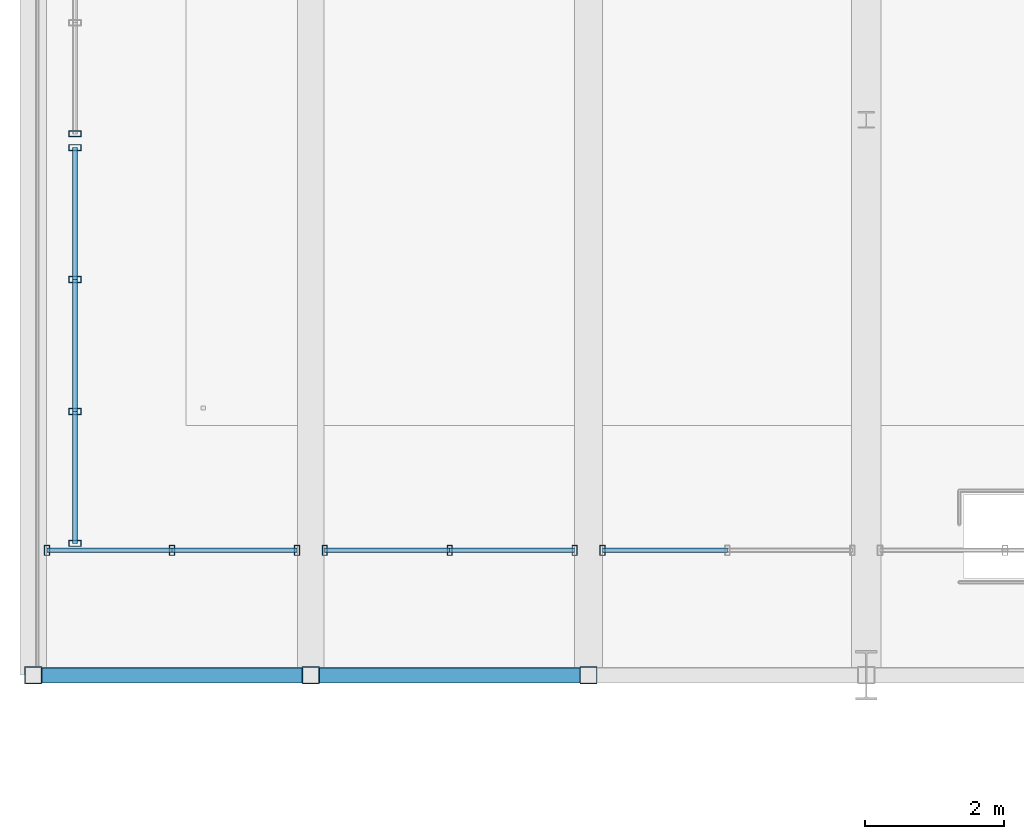
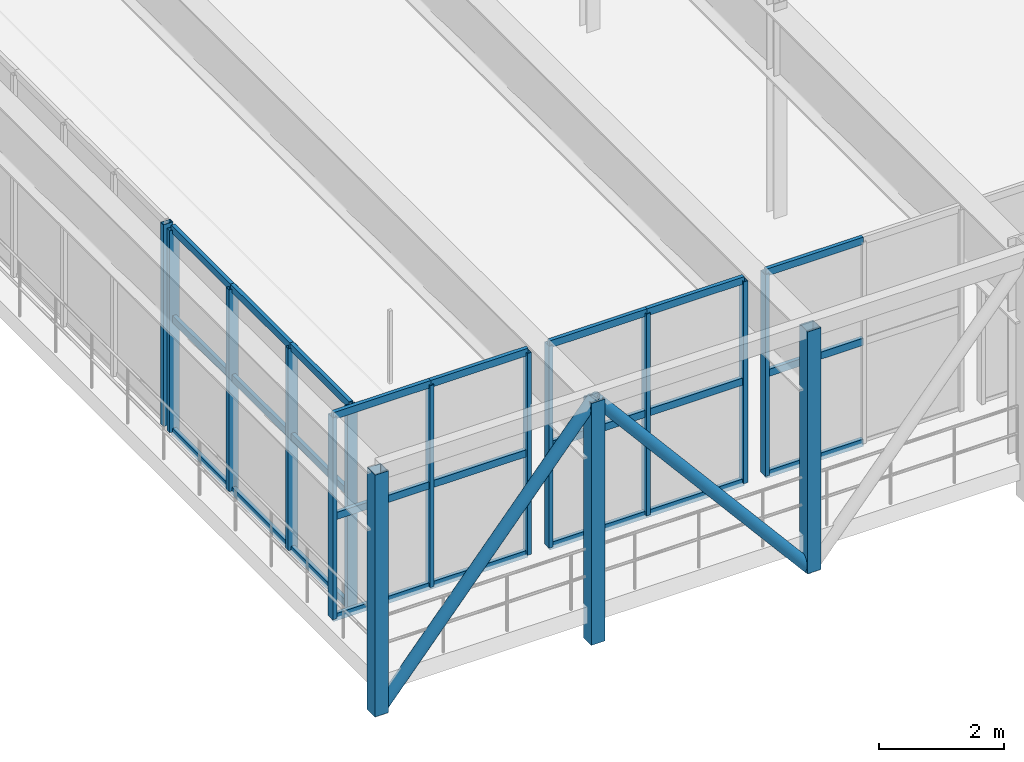
# One storey, part 19 of 124: 41 members, 5 elements without a shape of their own.
"""IFC4 building model written with IfcOpenShell, lengths in metres."""

from ifc_helpers import new_model, si_unit, direction, frame, origin, origin_2d, place, context, subcontext, project, spatial, hollow_rectangle, hollow_circle, extrude, material, material_profile, profile_set, type_object, element, aggregate, save


model = new_model("IFC4")

# Units and contexts
model_context = context("Model", 3, precision=1e-05, world=origin(), true_north=direction((0.0, 1.0)))
body_context = subcontext(model_context, "Body", "Model", "MODEL_VIEW")
ifc_project = project(units=[si_unit("LENGTHUNIT", "METRE"), si_unit("AREAUNIT", "SQUARE_METRE"), si_unit("VOLUMEUNIT", "CUBIC_METRE"), si_unit("PLANEANGLEUNIT", "RADIAN"), si_unit("MASSUNIT", "GRAM", prefix="KILO")], contexts=[model_context])

# Site, building, storey
site_placement = place(None, origin())
site = spatial("IfcSite", under=ifc_project, at=site_placement, CompositionType="ELEMENT")
building_placement = place(site_placement, origin())
building = spatial("IfcBuilding", under=site, at=building_placement, Name="Sundkrona Museum", CompositionType="ELEMENT")
storey_placement = place(building_placement, frame((0.0, 0.0, 17.60009765625)))
storey = spatial("IfcBuildingStorey", under=building, at=storey_placement, Name="L03", CompositionType="ELEMENT", Elevation=17.60009765625)

# Curtain wall, members
ifc_material_1 = material(Name="Unitised Aluminium-Steel and Ceramic-Clad Curtain Walling", Category="steel")
curtain_wall_type_1 = type_object("IfcCurtainWallType", Name="CW-CV-36x38", PredefinedType="NOTDEFINED", material=ifc_material_1)
curtain_wall_1_placement = place(storey_placement, origin())
curtain_wall_1 = element("IfcCurtainWall", 1, at=curtain_wall_1_placement, inside=storey, type_object=curtain_wall_type_1, Name="L03 Curtain Wall CW-L03-152", PredefinedType="NOTDEFINED")
ifc_material_2 = material(Name="Aluminium EN AW-6060 T66", Category="aluminium")
ifc_material_profile_1 = material_profile(ifc_material_2, hollow_rectangle(XDim=0.074951171875, YDim=0.14990234375, WallThickness=0.00634765625, at=origin_2d()), Name="RHS 150x75x6.3")
ifc_profile_set_1 = profile_set([ifc_material_profile_1], Name="Aluminium EN AW-6060 T66")
member_type_1 = type_object("IfcMemberType", Name="ML-150", PredefinedType="MULLION", material=ifc_profile_set_1)
member_1_placement = place(storey_placement, frame((4.199951171875, 33.800048828125, -0.004150390625), z_axis=(0.0, 0.0, 1.0), x_axis=(1.0, 0.0, 0.0)))
member_1 = element("IfcMember", 2, at=member_1_placement, type_object=member_type_1, Name="CW-L03-152 Mullion 01", PredefinedType="MULLION", context=body_context, shape_type="SweptSolid", body=[
    extrude(hollow_rectangle(XDim=0.074951171875, YDim=0.14990234375, WallThickness=0.00634765625, at=origin_2d()), origin(), (0.0, 0.0, 1.0), 3.947998046875),
])
member_2_placement = place(storey_placement, frame((6.0, 33.800048828125, -0.004150390625), z_axis=(0.0, 0.0, 1.0), x_axis=(1.0, 0.0, 0.0)))
member_2 = element("IfcMember", 3, at=member_2_placement, type_object=member_type_1, Name="CW-L03-152 Mullion 02", PredefinedType="MULLION", context=body_context, shape_type="SweptSolid", body=[
    extrude(hollow_rectangle(XDim=0.074951171875, YDim=0.14990234375, WallThickness=0.00634765625, at=origin_2d()), origin(), (0.0, 0.0, 1.0), 3.947998046875),
])
member_3_placement = place(storey_placement, frame((7.800048828125, 33.800048828125, -0.004150390625), z_axis=(0.0, 0.0, 1.0), x_axis=(1.0, 0.0, 0.0)))
member_3 = element("IfcMember", 4, at=member_3_placement, type_object=member_type_1, Name="CW-L03-152 Mullion 03", PredefinedType="MULLION", context=body_context, shape_type="SweptSolid", body=[
    extrude(hollow_rectangle(XDim=0.074951171875, YDim=0.14990234375, WallThickness=0.00634765625, at=origin_2d()), origin(), (0.0, 0.0, 1.0), 3.947998046875),
])

curtain_wall_2_placement = place(storey_placement, origin())
curtain_wall_2 = element("IfcCurtainWall", 5, at=curtain_wall_2_placement, inside=storey, type_object=curtain_wall_type_1, Name="L03 Curtain Wall CW-L03-154", PredefinedType="NOTDEFINED")
member_4_placement = place(storey_placement, frame((8.199951171875, 33.800048828125, -0.004150390625), z_axis=(0.0, 0.0, 1.0), x_axis=(1.0, 0.0, 0.0)))
member_4 = element("IfcMember", 6, at=member_4_placement, type_object=member_type_1, Name="CW-L03-154 Mullion 01", PredefinedType="MULLION", context=body_context, shape_type="SweptSolid", body=[
    extrude(hollow_rectangle(XDim=0.074951171875, YDim=0.14990234375, WallThickness=0.00634765625, at=origin_2d()), origin(), (0.0, 0.0, 1.0), 3.947998046875),
])
member_5_placement = place(storey_placement, frame((10.0, 33.800048828125, -0.004150390625), z_axis=(0.0, 0.0, 1.0), x_axis=(1.0, 0.0, 0.0)))
member_5 = element("IfcMember", 7, at=member_5_placement, type_object=member_type_1, Name="CW-L03-154 Mullion 02", PredefinedType="MULLION", context=body_context, shape_type="SweptSolid", body=[
    extrude(hollow_rectangle(XDim=0.074951171875, YDim=0.14990234375, WallThickness=0.00634765625, at=origin_2d()), origin(), (0.0, 0.0, 1.0), 3.947998046875),
])
member_6_placement = place(storey_placement, frame((11.800048828125, 33.800048828125, -0.004150390625), z_axis=(0.0, 0.0, 1.0), x_axis=(1.0, 0.0, 0.0)))
member_6 = element("IfcMember", 8, at=member_6_placement, type_object=member_type_1, Name="CW-L03-154 Mullion 03", PredefinedType="MULLION", context=body_context, shape_type="SweptSolid", body=[
    extrude(hollow_rectangle(XDim=0.074951171875, YDim=0.14990234375, WallThickness=0.00634765625, at=origin_2d()), origin(), (0.0, 0.0, 1.0), 3.947998046875),
])

# Curtain wall, member
curtain_wall_3_placement = place(storey_placement, origin())
curtain_wall_3 = element("IfcCurtainWall", 9, at=curtain_wall_3_placement, inside=storey, type_object=curtain_wall_type_1, Name="L03 Curtain Wall CW-L03-156", PredefinedType="NOTDEFINED")
member_7_placement = place(storey_placement, frame((12.199951171875, 33.800048828125, -0.004150390625), z_axis=(0.0, 0.0, 1.0), x_axis=(1.0, 0.0, 0.0)))
member_7 = element("IfcMember", 10, at=member_7_placement, type_object=member_type_1, Name="CW-L03-156 Mullion 01", PredefinedType="MULLION", context=body_context, shape_type="SweptSolid", body=[
    extrude(hollow_rectangle(XDim=0.074951171875, YDim=0.14990234375, WallThickness=0.00634765625, at=origin_2d()), origin(), (0.0, 0.0, 1.0), 3.947998046875),
])

# Curtain wall, members
curtain_wall_type_2 = type_object("IfcCurtainWallType", Name="CW-CV-68x38", PredefinedType="NOTDEFINED", material=ifc_material_1)
curtain_wall_4_placement = place(storey_placement, origin())
curtain_wall_4 = element("IfcCurtainWall", 11, at=curtain_wall_4_placement, inside=storey, type_object=curtain_wall_type_2, Name="L03 Curtain Wall CW-CV-TIP-L03-33", PredefinedType="NOTDEFINED")
ifc_material_profile_2 = material_profile(ifc_material_2, hollow_rectangle(XDim=0.090087890625, YDim=0.179931640625, WallThickness=0.00634765625, at=origin_2d()), Name="RHS 180x90x6.3")
ifc_profile_set_2 = profile_set([ifc_material_profile_2], Name="Aluminium EN AW-6060 T66")
member_type_2 = type_object("IfcMemberType", Name="ML-180", PredefinedType="MULLION", material=ifc_profile_set_2)
member_8_placement = place(storey_placement, frame((4.60009765625, 33.89990234375, -0.004150390625), z_axis=(0.0, 0.0, 1.0), x_axis=(0.0, 1.0, 0.0)))
member_8 = element("IfcMember", 12, at=member_8_placement, type_object=member_type_2, Name="CW-CV-TIP-L03-33 Mullion 01", PredefinedType="MULLION", context=body_context, shape_type="SweptSolid", body=[
    extrude(hollow_rectangle(XDim=0.090087890625, YDim=0.179931640625, WallThickness=0.00634765625, at=origin_2d()), origin(), (0.0, 0.0, 1.0), 3.947998046875),
])
member_9_placement = place(storey_placement, frame((4.60009765625, 35.800048828125, -0.004150390625), z_axis=(0.0, 0.0, 1.0), x_axis=(0.0, 1.0, 0.0)))
member_9 = element("IfcMember", 13, at=member_9_placement, type_object=member_type_2, Name="CW-CV-TIP-L03-33 Mullion 02", PredefinedType="MULLION", context=body_context, shape_type="SweptSolid", body=[
    extrude(hollow_rectangle(XDim=0.090087890625, YDim=0.179931640625, WallThickness=0.00634765625, at=origin_2d()), origin(), (0.0, 0.0, 1.0), 3.947998046875),
])
member_10_placement = place(storey_placement, frame((4.60009765625, 37.699951171875, -0.004150390625), z_axis=(0.0, 0.0, 1.0), x_axis=(0.0, 1.0, 0.0)))
member_10 = element("IfcMember", 14, at=member_10_placement, type_object=member_type_2, Name="CW-CV-TIP-L03-33 Mullion 03", PredefinedType="MULLION", context=body_context, shape_type="SweptSolid", body=[
    extrude(hollow_rectangle(XDim=0.090087890625, YDim=0.179931640625, WallThickness=0.00634765625, at=origin_2d()), origin(), (0.0, 0.0, 1.0), 3.947998046875),
])
member_11_placement = place(storey_placement, frame((4.60009765625, 39.60009765625, -0.004150390625), z_axis=(0.0, 0.0, 1.0), x_axis=(0.0, 1.0, 0.0)))
member_11 = element("IfcMember", 15, at=member_11_placement, type_object=member_type_2, Name="CW-CV-TIP-L03-33 Mullion 04", PredefinedType="MULLION", context=body_context, shape_type="SweptSolid", body=[
    extrude(hollow_rectangle(XDim=0.090087890625, YDim=0.179931640625, WallThickness=0.00634765625, at=origin_2d()), origin(), (0.0, 0.0, 1.0), 3.947998046875),
])

# Curtain wall, member
curtain_wall_5_placement = place(storey_placement, origin())
curtain_wall_5 = element("IfcCurtainWall", 16, at=curtain_wall_5_placement, inside=storey, type_object=curtain_wall_type_2, Name="L03 Curtain Wall CW-CV-TIP-L03-39", PredefinedType="NOTDEFINED")
member_12_placement = place(storey_placement, frame((4.60009765625, 39.800048828125, -0.004150390625), z_axis=(0.0, 0.0, 1.0), x_axis=(0.0, 1.0, 0.0)))
member_12 = element("IfcMember", 17, at=member_12_placement, type_object=member_type_2, Name="CW-CV-TIP-L03-39 Mullion 01", PredefinedType="MULLION", context=body_context, shape_type="SweptSolid", body=[
    extrude(hollow_rectangle(XDim=0.090087890625, YDim=0.179931640625, WallThickness=0.00634765625, at=origin_2d()), origin(), (0.0, 0.0, 1.0), 3.947998046875),
])
aggregate(curtain_wall_5, [member_12])

# Members
ifc_material_3 = material(Name="Steel S355J2", Category="steel")
ifc_material_profile_3 = material_profile(ifc_material_3, hollow_circle(Radius=0.109619140625, WallThickness=0.010009765625, at=origin_2d()), Name="CHS 219.1x10.0")
ifc_profile_set_3 = profile_set([ifc_material_profile_3], Name="Steel S355J2")
member_type_3 = type_object("IfcMemberType", Name="ST-CHS219", PredefinedType="STRUT", material=ifc_profile_set_3)
for number, where, z_axis, x_axis, name in (
    (18, (4.0, 32.0, -0.68017578125), (0.645726672694, 0.0, 0.763568637499), (0.0, 1.0, 0.0), "TRS-1 Cantilever Upper Pavilion S Diagonal 1"),
    (19, (8.0, 32.0, 4.0498046875), (0.645726672694, 0.0, -0.763568637499), (0.0, 1.0, 0.0), "TRS-1 Cantilever Upper Pavilion S Diagonal 2"),
):
    element("IfcMember", number, at=place(storey_placement, frame(where, z_axis=z_axis, x_axis=x_axis)), inside=storey, type_object=member_type_3, Name=name, PredefinedType="STRUT", context=body_context, shape_type="SweptSolid", body=[
        extrude(hollow_circle(Radius=0.109619140625, WallThickness=0.010009765625, at=origin_2d()), origin(), (0.0, 0.0, 1.0), 6.194580078125),
    ])
ifc_material_4 = material(Name="Steel S460M", Category="steel")
ifc_material_profile_4 = material_profile(ifc_material_4, hollow_rectangle(XDim=0.25, YDim=0.25, WallThickness=0.012451171875, at=origin_2d()), Name="SHS 250x250x12.5")
ifc_profile_set_4 = profile_set([ifc_material_profile_4], Name="Steel S460M")
member_type_4 = type_object("IfcMemberType", Name="ST-SHS250", PredefinedType="STRUT", material=ifc_profile_set_4)
for number, where, z_axis, x_axis, name in (
    (20, (4.0, 32.0, -0.68017578125), (0.0, 0.0, 1.0), (1.0, 0.0, 0.0), "TRS-1 Cantilever Upper Pavilion Post S-1"),
    (21, (8.0, 32.0, -0.68017578125), (0.0, 0.0, 1.0), (1.0, 0.0, 0.0), "TRS-1 Cantilever Upper Pavilion Post S-2"),
    (22, (12.0, 32.0, -0.68017578125), (0.0, 0.0, 1.0), (1.0, 0.0, 0.0), "TRS-1 Cantilever Upper Pavilion Post S-3"),
):
    element("IfcMember", number, at=place(storey_placement, frame(where, z_axis=z_axis, x_axis=x_axis)), inside=storey, type_object=member_type_4, Name=name, PredefinedType="STRUT", context=body_context, shape_type="SweptSolid", body=[
        extrude(hollow_rectangle(XDim=0.25, YDim=0.25, WallThickness=0.012451171875, at=origin_2d()), origin(), (0.0, 0.0, 1.0), 4.72998046875),
    ])

# Member
ifc_material_profile_5 = material_profile(ifc_material_2, hollow_rectangle(XDim=0.070068359375, YDim=0.139892578125, WallThickness=0.0048828125, at=origin_2d()), Name="RHS 140x70x5.0")
ifc_profile_set_5 = profile_set([ifc_material_profile_5], Name="Aluminium EN AW-6060 T66")
member_type_5 = type_object("IfcMemberType", Name="TR-140", PredefinedType="USERDEFINED", material=ifc_profile_set_5)
member_13_placement = place(storey_placement, frame((4.199951171875, 33.800048828125, -0.004150390625), z_axis=(1.0, 0.0, 0.0), x_axis=(0.0, 1.0, 0.0)))
member_13 = element("IfcMember", 23, at=member_13_placement, type_object=member_type_5, Name="CW-L03-152 Transom 01", ObjectType="TRANSOM", PredefinedType="USERDEFINED", context=body_context, shape_type="SweptSolid", body=[
    extrude(hollow_rectangle(XDim=0.070068359375, YDim=0.139892578125, WallThickness=0.0048828125, at=origin_2d()), origin(), (0.0, 0.0, 1.0), 1.800048828125),
])

member_14_placement = place(storey_placement, frame((4.199951171875, 33.800048828125, 1.969970703125), z_axis=(1.0, 0.0, 0.0), x_axis=(0.0, 1.0, 0.0)))
member_14 = element("IfcMember", 24, at=member_14_placement, type_object=member_type_5, Name="CW-L03-152 Transom 02", ObjectType="TRANSOM", PredefinedType="USERDEFINED", context=body_context, shape_type="SweptSolid", body=[
    extrude(hollow_rectangle(XDim=0.070068359375, YDim=0.139892578125, WallThickness=0.0048828125, at=origin_2d()), origin(), (0.0, 0.0, 1.0), 1.800048828125),
])

member_15_placement = place(storey_placement, frame((4.199951171875, 33.800048828125, 3.94384765625), z_axis=(1.0, 0.0, 0.0), x_axis=(0.0, 1.0, 0.0)))
member_15 = element("IfcMember", 25, at=member_15_placement, type_object=member_type_5, Name="CW-L03-152 Transom 03", ObjectType="TRANSOM", PredefinedType="USERDEFINED", context=body_context, shape_type="SweptSolid", body=[
    extrude(hollow_rectangle(XDim=0.070068359375, YDim=0.139892578125, WallThickness=0.0048828125, at=origin_2d()), origin(), (0.0, 0.0, 1.0), 1.800048828125),
])

member_16_placement = place(storey_placement, frame((6.0, 33.800048828125, -0.004150390625), z_axis=(1.0, 0.0, 0.0), x_axis=(0.0, 1.0, 0.0)))
member_16 = element("IfcMember", 26, at=member_16_placement, type_object=member_type_5, Name="CW-L03-152 Transom 04", ObjectType="TRANSOM", PredefinedType="USERDEFINED", context=body_context, shape_type="SweptSolid", body=[
    extrude(hollow_rectangle(XDim=0.070068359375, YDim=0.139892578125, WallThickness=0.0048828125, at=origin_2d()), origin(), (0.0, 0.0, 1.0), 1.800048828125),
])

member_17_placement = place(storey_placement, frame((6.0, 33.800048828125, 1.969970703125), z_axis=(1.0, 0.0, 0.0), x_axis=(0.0, 1.0, 0.0)))
member_17 = element("IfcMember", 27, at=member_17_placement, type_object=member_type_5, Name="CW-L03-152 Transom 05", ObjectType="TRANSOM", PredefinedType="USERDEFINED", context=body_context, shape_type="SweptSolid", body=[
    extrude(hollow_rectangle(XDim=0.070068359375, YDim=0.139892578125, WallThickness=0.0048828125, at=origin_2d()), origin(), (0.0, 0.0, 1.0), 1.800048828125),
])

member_18_placement = place(storey_placement, frame((6.0, 33.800048828125, 3.94384765625), z_axis=(1.0, 0.0, 0.0), x_axis=(0.0, 1.0, 0.0)))
member_18 = element("IfcMember", 28, at=member_18_placement, type_object=member_type_5, Name="CW-L03-152 Transom 06", ObjectType="TRANSOM", PredefinedType="USERDEFINED", context=body_context, shape_type="SweptSolid", body=[
    extrude(hollow_rectangle(XDim=0.070068359375, YDim=0.139892578125, WallThickness=0.0048828125, at=origin_2d()), origin(), (0.0, 0.0, 1.0), 1.800048828125),
])

aggregate(curtain_wall_1, [member_1, member_2, member_3, member_13, member_14, member_15, member_16, member_17, member_18])

member_19_placement = place(storey_placement, frame((8.199951171875, 33.800048828125, -0.004150390625), z_axis=(1.0, 0.0, 0.0), x_axis=(0.0, 1.0, 0.0)))
member_19 = element("IfcMember", 29, at=member_19_placement, type_object=member_type_5, Name="CW-L03-154 Transom 01", ObjectType="TRANSOM", PredefinedType="USERDEFINED", context=body_context, shape_type="SweptSolid", body=[
    extrude(hollow_rectangle(XDim=0.070068359375, YDim=0.139892578125, WallThickness=0.0048828125, at=origin_2d()), origin(), (0.0, 0.0, 1.0), 1.800048828125),
])

member_20_placement = place(storey_placement, frame((8.199951171875, 33.800048828125, 1.969970703125), z_axis=(1.0, 0.0, 0.0), x_axis=(0.0, 1.0, 0.0)))
member_20 = element("IfcMember", 30, at=member_20_placement, type_object=member_type_5, Name="CW-L03-154 Transom 02", ObjectType="TRANSOM", PredefinedType="USERDEFINED", context=body_context, shape_type="SweptSolid", body=[
    extrude(hollow_rectangle(XDim=0.070068359375, YDim=0.139892578125, WallThickness=0.0048828125, at=origin_2d()), origin(), (0.0, 0.0, 1.0), 1.800048828125),
])

member_21_placement = place(storey_placement, frame((8.199951171875, 33.800048828125, 3.94384765625), z_axis=(1.0, 0.0, 0.0), x_axis=(0.0, 1.0, 0.0)))
member_21 = element("IfcMember", 31, at=member_21_placement, type_object=member_type_5, Name="CW-L03-154 Transom 03", ObjectType="TRANSOM", PredefinedType="USERDEFINED", context=body_context, shape_type="SweptSolid", body=[
    extrude(hollow_rectangle(XDim=0.070068359375, YDim=0.139892578125, WallThickness=0.0048828125, at=origin_2d()), origin(), (0.0, 0.0, 1.0), 1.800048828125),
])

member_22_placement = place(storey_placement, frame((10.0, 33.800048828125, -0.004150390625), z_axis=(1.0, 0.0, 0.0), x_axis=(0.0, 1.0, 0.0)))
member_22 = element("IfcMember", 32, at=member_22_placement, type_object=member_type_5, Name="CW-L03-154 Transom 04", ObjectType="TRANSOM", PredefinedType="USERDEFINED", context=body_context, shape_type="SweptSolid", body=[
    extrude(hollow_rectangle(XDim=0.070068359375, YDim=0.139892578125, WallThickness=0.0048828125, at=origin_2d()), origin(), (0.0, 0.0, 1.0), 1.800048828125),
])

member_23_placement = place(storey_placement, frame((10.0, 33.800048828125, 1.969970703125), z_axis=(1.0, 0.0, 0.0), x_axis=(0.0, 1.0, 0.0)))
member_23 = element("IfcMember", 33, at=member_23_placement, type_object=member_type_5, Name="CW-L03-154 Transom 05", ObjectType="TRANSOM", PredefinedType="USERDEFINED", context=body_context, shape_type="SweptSolid", body=[
    extrude(hollow_rectangle(XDim=0.070068359375, YDim=0.139892578125, WallThickness=0.0048828125, at=origin_2d()), origin(), (0.0, 0.0, 1.0), 1.800048828125),
])

member_24_placement = place(storey_placement, frame((10.0, 33.800048828125, 3.94384765625), z_axis=(1.0, 0.0, 0.0), x_axis=(0.0, 1.0, 0.0)))
member_24 = element("IfcMember", 34, at=member_24_placement, type_object=member_type_5, Name="CW-L03-154 Transom 06", ObjectType="TRANSOM", PredefinedType="USERDEFINED", context=body_context, shape_type="SweptSolid", body=[
    extrude(hollow_rectangle(XDim=0.070068359375, YDim=0.139892578125, WallThickness=0.0048828125, at=origin_2d()), origin(), (0.0, 0.0, 1.0), 1.800048828125),
])

aggregate(curtain_wall_2, [member_4, member_5, member_6, member_19, member_20, member_21, member_22, member_23, member_24])

member_25_placement = place(storey_placement, frame((12.199951171875, 33.800048828125, -0.004150390625), z_axis=(1.0, 0.0, 0.0), x_axis=(0.0, 1.0, 0.0)))
member_25 = element("IfcMember", 35, at=member_25_placement, type_object=member_type_5, Name="CW-L03-156 Transom 01", ObjectType="TRANSOM", PredefinedType="USERDEFINED", context=body_context, shape_type="SweptSolid", body=[
    extrude(hollow_rectangle(XDim=0.070068359375, YDim=0.139892578125, WallThickness=0.0048828125, at=origin_2d()), origin(), (0.0, 0.0, 1.0), 1.800048828125),
])

member_26_placement = place(storey_placement, frame((12.199951171875, 33.800048828125, 1.969970703125), z_axis=(1.0, 0.0, 0.0), x_axis=(0.0, 1.0, 0.0)))
member_26 = element("IfcMember", 36, at=member_26_placement, type_object=member_type_5, Name="CW-L03-156 Transom 02", ObjectType="TRANSOM", PredefinedType="USERDEFINED", context=body_context, shape_type="SweptSolid", body=[
    extrude(hollow_rectangle(XDim=0.070068359375, YDim=0.139892578125, WallThickness=0.0048828125, at=origin_2d()), origin(), (0.0, 0.0, 1.0), 1.800048828125),
])

member_27_placement = place(storey_placement, frame((12.199951171875, 33.800048828125, 3.94384765625), z_axis=(1.0, 0.0, 0.0), x_axis=(0.0, 1.0, 0.0)))
member_27 = element("IfcMember", 37, at=member_27_placement, type_object=member_type_5, Name="CW-L03-156 Transom 03", ObjectType="TRANSOM", PredefinedType="USERDEFINED", context=body_context, shape_type="SweptSolid", body=[
    extrude(hollow_rectangle(XDim=0.070068359375, YDim=0.139892578125, WallThickness=0.0048828125, at=origin_2d()), origin(), (0.0, 0.0, 1.0), 1.800048828125),
])

aggregate(curtain_wall_3, [member_7, member_25, member_26, member_27])

member_28_placement = place(storey_placement, frame((4.60009765625, 33.89990234375, -0.004150390625), z_axis=(0.0, 1.0, 0.0), x_axis=(-1.0, 0.0, 0.0)))
member_28 = element("IfcMember", 38, at=member_28_placement, type_object=member_type_5, Name="CW-CV-TIP-L03-33 Transom 01", ObjectType="TRANSOM", PredefinedType="USERDEFINED", context=body_context, shape_type="SweptSolid", body=[
    extrude(hollow_rectangle(XDim=0.070068359375, YDim=0.139892578125, WallThickness=0.0048828125, at=origin_2d()), origin(), (0.0, 0.0, 1.0), 1.900146484375),
])

member_29_placement = place(storey_placement, frame((4.60009765625, 33.89990234375, 2.199951171875), z_axis=(0.0, 1.0, 0.0), x_axis=(-1.0, 0.0, 0.0)))
member_29 = element("IfcMember", 39, at=member_29_placement, type_object=member_type_5, Name="CW-CV-TIP-L03-33 Transom 02", ObjectType="TRANSOM", PredefinedType="USERDEFINED", context=body_context, shape_type="SweptSolid", body=[
    extrude(hollow_rectangle(XDim=0.070068359375, YDim=0.139892578125, WallThickness=0.0048828125, at=origin_2d()), origin(), (0.0, 0.0, 1.0), 1.900146484375),
])

member_30_placement = place(storey_placement, frame((4.60009765625, 33.89990234375, 3.94384765625), z_axis=(0.0, 1.0, 0.0), x_axis=(-1.0, 0.0, 0.0)))
member_30 = element("IfcMember", 40, at=member_30_placement, type_object=member_type_5, Name="CW-CV-TIP-L03-33 Transom 03", ObjectType="TRANSOM", PredefinedType="USERDEFINED", context=body_context, shape_type="SweptSolid", body=[
    extrude(hollow_rectangle(XDim=0.070068359375, YDim=0.139892578125, WallThickness=0.0048828125, at=origin_2d()), origin(), (0.0, 0.0, 1.0), 1.900146484375),
])

member_31_placement = place(storey_placement, frame((4.60009765625, 35.800048828125, -0.004150390625), z_axis=(0.0, 1.0, 0.0), x_axis=(-1.0, 0.0, 0.0)))
member_31 = element("IfcMember", 41, at=member_31_placement, type_object=member_type_5, Name="CW-CV-TIP-L03-33 Transom 04", ObjectType="TRANSOM", PredefinedType="USERDEFINED", context=body_context, shape_type="SweptSolid", body=[
    extrude(hollow_rectangle(XDim=0.070068359375, YDim=0.139892578125, WallThickness=0.0048828125, at=origin_2d()), origin(), (0.0, 0.0, 1.0), 1.89990234375),
])

member_32_placement = place(storey_placement, frame((4.60009765625, 35.800048828125, 2.199951171875), z_axis=(0.0, 1.0, 0.0), x_axis=(-1.0, 0.0, 0.0)))
member_32 = element("IfcMember", 42, at=member_32_placement, type_object=member_type_5, Name="CW-CV-TIP-L03-33 Transom 05", ObjectType="TRANSOM", PredefinedType="USERDEFINED", context=body_context, shape_type="SweptSolid", body=[
    extrude(hollow_rectangle(XDim=0.070068359375, YDim=0.139892578125, WallThickness=0.0048828125, at=origin_2d()), origin(), (0.0, 0.0, 1.0), 1.89990234375),
])

member_33_placement = place(storey_placement, frame((4.60009765625, 35.800048828125, 3.94384765625), z_axis=(0.0, 1.0, 0.0), x_axis=(-1.0, 0.0, 0.0)))
member_33 = element("IfcMember", 43, at=member_33_placement, type_object=member_type_5, Name="CW-CV-TIP-L03-33 Transom 06", ObjectType="TRANSOM", PredefinedType="USERDEFINED", context=body_context, shape_type="SweptSolid", body=[
    extrude(hollow_rectangle(XDim=0.070068359375, YDim=0.139892578125, WallThickness=0.0048828125, at=origin_2d()), origin(), (0.0, 0.0, 1.0), 1.89990234375),
])

member_34_placement = place(storey_placement, frame((4.60009765625, 37.699951171875, -0.004150390625), z_axis=(0.0, 1.0, 0.0), x_axis=(-1.0, 0.0, 0.0)))
member_34 = element("IfcMember", 44, at=member_34_placement, type_object=member_type_5, Name="CW-CV-TIP-L03-33 Transom 07", ObjectType="TRANSOM", PredefinedType="USERDEFINED", context=body_context, shape_type="SweptSolid", body=[
    extrude(hollow_rectangle(XDim=0.070068359375, YDim=0.139892578125, WallThickness=0.0048828125, at=origin_2d()), origin(), (0.0, 0.0, 1.0), 1.900146484375),
])

member_35_placement = place(storey_placement, frame((4.60009765625, 37.699951171875, 2.199951171875), z_axis=(0.0, 1.0, 0.0), x_axis=(-1.0, 0.0, 0.0)))
member_35 = element("IfcMember", 45, at=member_35_placement, type_object=member_type_5, Name="CW-CV-TIP-L03-33 Transom 08", ObjectType="TRANSOM", PredefinedType="USERDEFINED", context=body_context, shape_type="SweptSolid", body=[
    extrude(hollow_rectangle(XDim=0.070068359375, YDim=0.139892578125, WallThickness=0.0048828125, at=origin_2d()), origin(), (0.0, 0.0, 1.0), 1.900146484375),
])

member_36_placement = place(storey_placement, frame((4.60009765625, 37.699951171875, 3.94384765625), z_axis=(0.0, 1.0, 0.0), x_axis=(-1.0, 0.0, 0.0)))
member_36 = element("IfcMember", 46, at=member_36_placement, type_object=member_type_5, Name="CW-CV-TIP-L03-33 Transom 09", ObjectType="TRANSOM", PredefinedType="USERDEFINED", context=body_context, shape_type="SweptSolid", body=[
    extrude(hollow_rectangle(XDim=0.070068359375, YDim=0.139892578125, WallThickness=0.0048828125, at=origin_2d()), origin(), (0.0, 0.0, 1.0), 1.900146484375),
])

aggregate(curtain_wall_4, [member_8, member_9, member_10, member_11, member_28, member_29, member_30, member_31, member_32, member_33, member_34, member_35, member_36])

save(model, "model.ifc")
